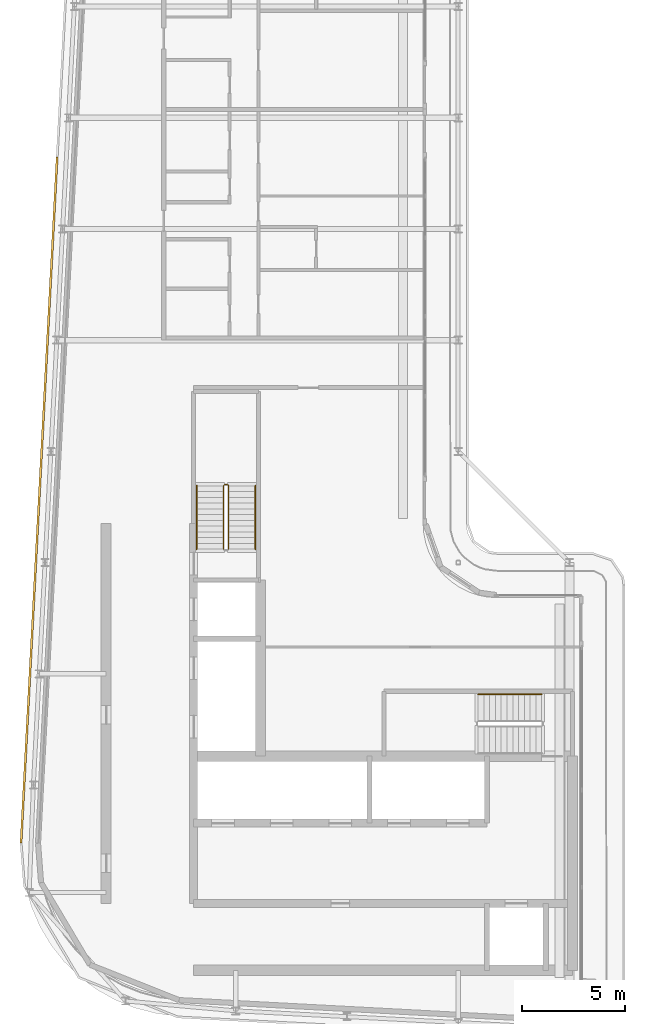
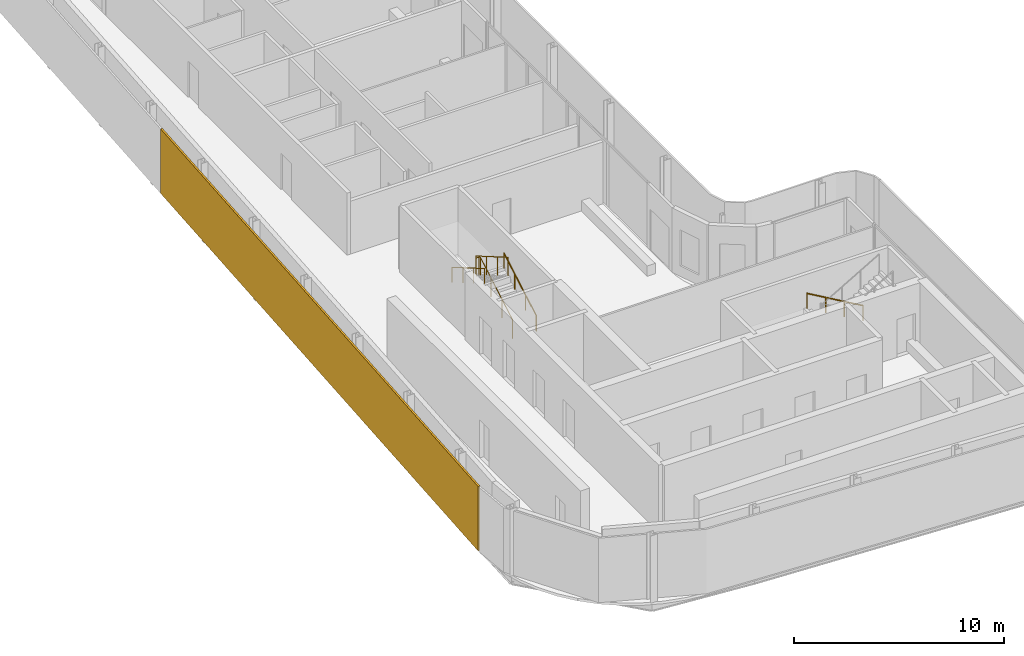
# One storey, part 15 of 18: 4 railings, 1 shading device.
"""IFC4 building model written with IfcOpenShell, lengths in metres."""

from ifc_helpers import new_model, si_unit, direction, frame, origin, origin_2d, place, context, subcontext, project, spatial, rectangle, circle, extrude, material, layer, layer_set, type_object, element, save


model = new_model("IFC4")

# Units and contexts
model_context = context("Model", 3, precision=1e-05, world=origin(), true_north=direction((0.0, 1.0)))
body_context = subcontext(model_context, "Body", "Model", "MODEL_VIEW")
ifc_project = project(units=[si_unit("LENGTHUNIT", "METRE"), si_unit("AREAUNIT", "SQUARE_METRE"), si_unit("VOLUMEUNIT", "CUBIC_METRE"), si_unit("PLANEANGLEUNIT", "RADIAN"), si_unit("MASSUNIT", "GRAM", prefix="KILO")], contexts=[model_context])

# Site, building, storey
site_placement = place(None, origin())
site = spatial("IfcSite", under=ifc_project, at=site_placement, CompositionType="ELEMENT")
building_placement = place(site_placement, origin())
building = spatial("IfcBuilding", under=site, at=building_placement, Name="Kheshtan School and Residences Tower", CompositionType="ELEMENT")
storey_placement = place(building_placement, frame((0.0, 0.0, 377.300048828125)))
storey = spatial("IfcBuildingStorey", under=building, at=storey_placement, Name="L89", CompositionType="ELEMENT", Elevation=377.300048828125)

# Shading device
ifc_material_1 = material(Name="Terracotta baguette, extruded ceramic", Category="masonry")
ifc_layer = layer(ifc_material_1, 0.10009765625)
ifc_layer_set = layer_set([ifc_layer], Name="Ledge screen, terracotta baguettes")
shading_device_type = type_object("IfcShadingDeviceType", Name="Ledge screen, terracotta baguettes", PredefinedType="USERDEFINED", material=ifc_layer_set)
shading_device_placement = place(storey_placement, frame((27.24609375, 48.638916015625, 0.0), z_axis=(0.0, 0.0, 1.0), x_axis=(0.052562536748, 0.998617634398, 0.0)))
element("IfcShadingDevice", 1, at=shading_device_placement, inside=storey, type_object=shading_device_type, Name="Screen L89 4", ObjectType="BAGUETTE", PredefinedType="USERDEFINED", context=body_context, shape_type="SweptSolid", body=[
    extrude(rectangle(XDim=33.341064453125, YDim=0.10009765625, at=origin_2d()), origin(), (0.0, 0.0, 1.0), 3.75),
])

# Railings
ifc_material_2 = material(Name="Stainless steel balustrade", Category="steel")
railing_type_1 = type_object("IfcRailingType", Name="Stair guard 1100", PredefinedType="GUARDRAIL", material=ifc_material_2)
railing_1_placement = place(storey_placement, frame((36.449951171875, 46.25, 0.162353515625)))
element("IfcRailing", 2, at=railing_1_placement, inside=storey, type_object=railing_type_1, Name="L89 ST2 stair guard 1", PredefinedType="GUARDRAIL", context=body_context, shape_type="SweptSolid", body=[
    extrude(circle(Radius=0.02392578125, at=origin_2d()), frame((0.0, 0.0, 1.076171875), z_axis=(0.0, 0.864890721111, 0.501960198159), x_axis=(-1.0, 0.0, 0.0)), (0.0, 0.0, 1.0), 3.561279296875),
    extrude(circle(Radius=0.02392578125, at=origin_2d()), frame((0.0, 3.080078125, 2.86376953125), z_axis=(-0.708833529934, 0.705375805398, 0.0), x_axis=(-0.705375805398, -0.708833529934, 0.0)), (0.0, 0.0, 1.0), 0.070556640625),
    extrude(circle(Radius=0.02392578125, at=origin_2d()), frame((-0.050048828125, 3.1298828125, 2.86376953125), z_axis=(-1.0, 0.0, 0.0), x_axis=(0.0, -1.0, 0.0)), (0.0, 0.0, 1.0), 0.14990234375),
    extrude(circle(Radius=0.02392578125, at=origin_2d()), frame((-0.199951171875, 3.1298828125, 2.86376953125), z_axis=(-0.282336740067, -0.280959487676, 0.917250092119), x_axis=(0.705375805398, -0.708833529934, 0.0)), (0.0, 0.0, 1.0), 0.17724609375),
    extrude(circle(Radius=0.02392578125, at=origin_2d()), frame((-0.25, 3.080078125, 3.0263671875), z_axis=(0.0, -0.864920483161, 0.501908913857), x_axis=(1.0, 0.0, 0.0)), (0.0, 0.0, 1.0), 3.56103515625),
    extrude(circle(Radius=0.02099609375, at=origin_2d()), origin(), (0.0, 0.0, 1.0), 1.052001953125),
    extrude(circle(Radius=0.02099609375, at=origin_2d()), frame((0.0, 1.026611328125, 0.595947265625)), (0.0, 0.0, 1.0), 1.052001953125),
    extrude(circle(Radius=0.02099609375, at=origin_2d()), frame((0.0, 2.053466796875, 1.191650390625)), (0.0, 0.0, 1.0), 1.052001953125),
    extrude(circle(Radius=0.02099609375, at=origin_2d()), frame((0.0, 3.080078125, 1.78759765625)), (0.0, 0.0, 1.0), 1.052001953125),
    extrude(circle(Radius=0.02099609375, at=origin_2d()), frame((-0.050048828125, 3.1298828125, 1.78759765625)), (0.0, 0.0, 1.0), 1.052001953125),
    extrude(circle(Radius=0.02099609375, at=origin_2d()), frame((-0.199951171875, 3.1298828125, 1.78759765625)), (0.0, 0.0, 1.0), 1.052001953125),
    extrude(circle(Radius=0.02099609375, at=origin_2d()), frame((-0.25, 3.080078125, 1.9501953125)), (0.0, 0.0, 1.0), 1.052001953125),
    extrude(circle(Radius=0.02099609375, at=origin_2d()), frame((-0.25, 2.053466796875, 2.5458984375)), (0.0, 0.0, 1.0), 1.052001953125),
    extrude(circle(Radius=0.02099609375, at=origin_2d()), frame((-0.25, 1.026611328125, 3.141845703125)), (0.0, 0.0, 1.0), 1.052001953125),
    extrude(circle(Radius=0.02099609375, at=origin_2d()), frame((-0.25, 0.0, 3.737548828125)), (0.0, 0.0, 1.0), 1.052001953125),
])
ifc_material_3 = material(Name="Stainless steel handrail", Category="steel")
railing_type_2 = type_object("IfcRailingType", Name="Stair handrail 900", PredefinedType="HANDRAIL", material=ifc_material_3)
railing_2_placement = place(storey_placement, frame((51.64990234375, 39.199951171875, 0.162353515625)))
element("IfcRailing", 3, at=railing_2_placement, inside=storey, type_object=railing_type_2, Name="L89 ST1 stair handrail 1", PredefinedType="HANDRAIL", context=body_context, shape_type="SweptSolid", body=[
    extrude(circle(Radius=0.02392578125, at=origin_2d()), frame((0.0, 0.0, 0.8759765625), z_axis=(-0.864873446163, 0.0, 0.501989962173), x_axis=(0.0, -1.0, 0.0)), (0.0, 0.0, 1.0), 3.56103515625),
    extrude(circle(Radius=0.02099609375, at=origin_2d()), origin(), (0.0, 0.0, 1.0), 0.851806640625),
    extrude(circle(Radius=0.02099609375, at=origin_2d()), frame((-1.026611328125, 0.0, 0.595947265625)), (0.0, 0.0, 1.0), 0.851806640625),
    extrude(circle(Radius=0.02099609375, at=origin_2d()), frame((-2.05322265625, 0.0, 1.191650390625)), (0.0, 0.0, 1.0), 0.851806640625),
    extrude(circle(Radius=0.02099609375, at=origin_2d()), frame((-3.079833984375, 0.0, 1.78759765625)), (0.0, 0.0, 1.0), 0.851806640625),
])
railing_3_placement = place(storey_placement, frame((37.75, 46.25, 0.162353515625)))
element("IfcRailing", 4, at=railing_3_placement, inside=storey, type_object=railing_type_2, Name="L89 ST2 stair handrail 1", PredefinedType="HANDRAIL", context=body_context, shape_type="SweptSolid", body=[
    extrude(circle(Radius=0.02392578125, at=origin_2d()), frame((0.0, 0.0, 0.8759765625), z_axis=(0.0, 0.864890721111, 0.501960198159), x_axis=(-1.0, 0.0, 0.0)), (0.0, 0.0, 1.0), 3.561279296875),
    extrude(circle(Radius=0.02099609375, at=origin_2d()), origin(), (0.0, 0.0, 1.0), 0.851806640625),
    extrude(circle(Radius=0.02099609375, at=origin_2d()), frame((0.0, 1.026611328125, 0.595947265625)), (0.0, 0.0, 1.0), 0.851806640625),
    extrude(circle(Radius=0.02099609375, at=origin_2d()), frame((0.0, 2.053466796875, 1.191650390625)), (0.0, 0.0, 1.0), 0.851806640625),
    extrude(circle(Radius=0.02099609375, at=origin_2d()), frame((0.0, 3.080078125, 1.78759765625)), (0.0, 0.0, 1.0), 0.851806640625),
])
railing_4_placement = place(storey_placement, frame((34.89990234375, 49.330078125, 2.112548828125)))
element("IfcRailing", 5, at=railing_4_placement, inside=storey, type_object=railing_type_2, Name="L89 ST2 stair handrail 2", PredefinedType="HANDRAIL", context=body_context, shape_type="SweptSolid", body=[
    extrude(circle(Radius=0.02392578125, at=origin_2d()), frame((0.0, 0.0, 0.8759765625), z_axis=(0.0, -0.864920483161, 0.501908913857), x_axis=(1.0, 0.0, 0.0)), (0.0, 0.0, 1.0), 3.56103515625),
    extrude(circle(Radius=0.02099609375, at=origin_2d()), origin(), (0.0, 0.0, 1.0), 0.851806640625),
    extrude(circle(Radius=0.02099609375, at=origin_2d()), frame((0.0, -1.026611328125, 0.595703125)), (0.0, 0.0, 1.0), 0.851806640625),
    extrude(circle(Radius=0.02099609375, at=origin_2d()), frame((0.0, -2.053466796875, 1.191650390625)), (0.0, 0.0, 1.0), 0.851806640625),
    extrude(circle(Radius=0.02099609375, at=origin_2d()), frame((0.0, -3.080078125, 1.787353515625)), (0.0, 0.0, 1.0), 0.851806640625),
])

save(model, "model.ifc")
